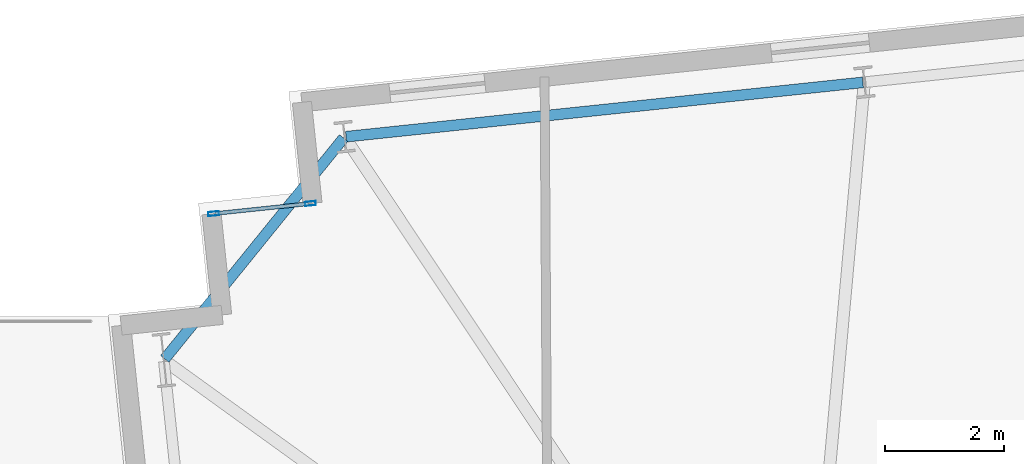
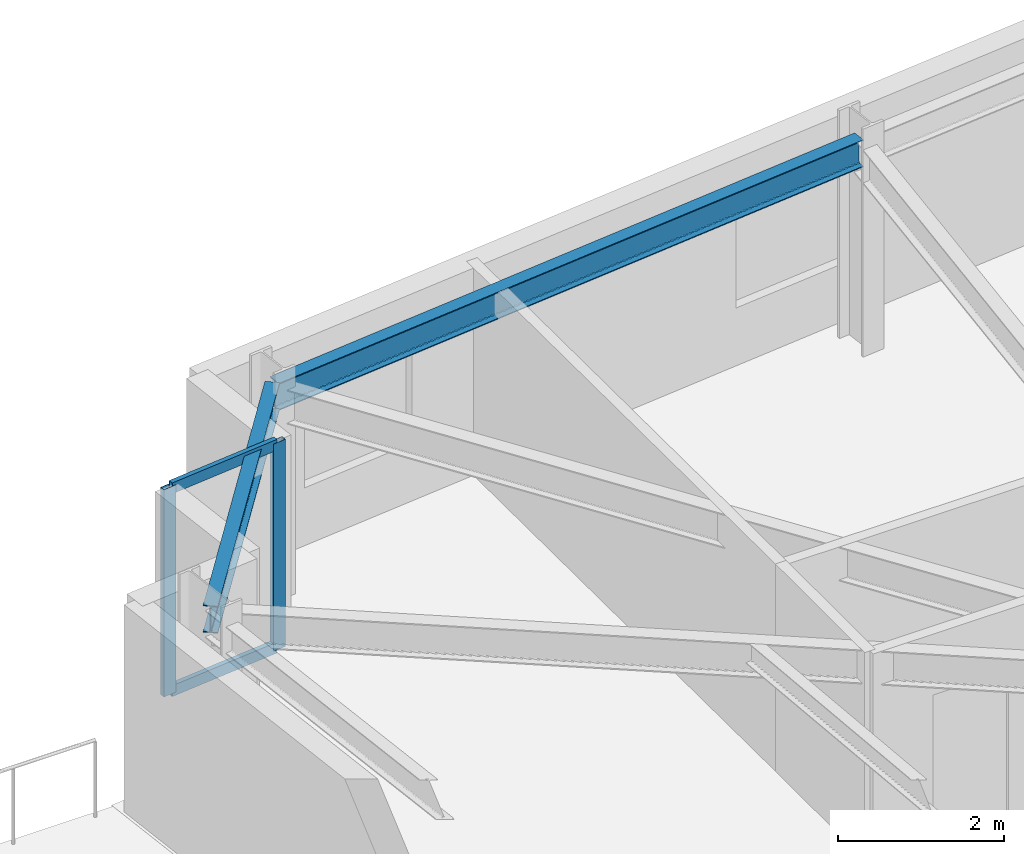
# One storey, part 8 of 20: 4 members, 2 beams, 1 element without a shape of its own.
"""IFC4 building model written with IfcOpenShell, lengths in metres."""

from ifc_helpers import new_model, si_unit, direction, frame, origin, origin_2d, place, context, subcontext, project, spatial, hollow_rectangle, i_section, extrude, material, layer, layer_set, material_profile, profile_set, type_object, element, aggregate, save


model = new_model("IFC4")

# Units and contexts
model_context = context("Model", 3, precision=1e-05, world=origin(), true_north=direction((0.0, 1.0)))
body_context = subcontext(model_context, "Body", "Model", "MODEL_VIEW")
ifc_project = project(units=[si_unit("LENGTHUNIT", "METRE"), si_unit("AREAUNIT", "SQUARE_METRE"), si_unit("VOLUMEUNIT", "CUBIC_METRE"), si_unit("PLANEANGLEUNIT", "RADIAN"), si_unit("MASSUNIT", "GRAM", prefix="KILO")], contexts=[model_context])

# Site, building, storey
site_placement = place(None, origin())
site = spatial("IfcSite", under=ifc_project, at=site_placement, CompositionType="ELEMENT")
building_placement = place(site_placement, origin())
building = spatial("IfcBuilding", under=site, at=building_placement, Name="Qobustan Lattice House", CompositionType="ELEMENT")
storey_placement = place(building_placement, frame((0.0, 0.0, 79.0)))
storey = spatial("IfcBuildingStorey", under=building, at=storey_placement, Name="L21", CompositionType="ELEMENT", Elevation=79.0)

# Beams
ifc_material_1 = material(Name="Steel S355", Category="steel")
ifc_material_profile_1 = material_profile(ifc_material_1, i_section(OverallWidth=0.179931640625, OverallDepth=0.39990234375, WebThickness=0.008544921875, FlangeThickness=0.013427734375, FilletRadius=0.02099609375, at=origin_2d()), Name="IPE400")
ifc_profile_set_1 = profile_set([ifc_material_profile_1], Name="Steel S355")
beam_type = type_object("IfcBeamType", Name="BM-SPD-IPE400", PredefinedType="SPANDREL", material=ifc_profile_set_1)
beam_1_placement = place(storey_placement, frame((-17.7158203125, 17.919189453125, 2.844970703125), z_axis=(-0.994521279781, -0.10453432002, 0.0), x_axis=(0.10453432002, -0.994521279781, 0.0)))
element("IfcBeam", 1, at=beam_1_placement, inside=storey, type_object=beam_type, Name="L21 perimeter spandrel N6-N7", PredefinedType="SPANDREL", context=body_context, shape_type="SweptSolid", body=[
    extrude(i_section(OverallWidth=0.179931640625, OverallDepth=0.39990234375, WebThickness=0.008544921875, FlangeThickness=0.013427734375, FilletRadius=0.02099609375, at=origin_2d()), origin(), (0.0, 0.0, 1.0), 8.69970703125),
])
beam_2_placement = place(storey_placement, frame((-26.40869140625, 16.98779296875, 2.844970703125), z_axis=(-0.629326627121, -0.777140911545, 0.0), x_axis=(0.777140911545, -0.629326627121, 0.0)))
element("IfcBeam", 2, at=beam_2_placement, inside=storey, type_object=beam_type, Name="L21 perimeter spandrel N7-W1", PredefinedType="SPANDREL", context=body_context, shape_type="SweptSolid", body=[
    extrude(i_section(OverallWidth=0.179931640625, OverallDepth=0.39990234375, WebThickness=0.008544921875, FlangeThickness=0.013427734375, FilletRadius=0.02099609375, at=origin_2d()), origin(), (0.0, 0.0, 1.0), 4.758544921875),
])

# Curtain wall, members
ifc_material_2 = material(Name="Anodised aluminium and low-E glazing", Category="aluminium")
ifc_layer = layer(ifc_material_2, 0.219970703125)
ifc_layer_set = layer_set([ifc_layer], Name="Anodised aluminium and low-E glazing")
curtain_wall_type = type_object("IfcCurtainWallType", Name="CW-FAC-01", PredefinedType="USERDEFINED", material=ifc_layer_set)
curtain_wall_placement = place(storey_placement, origin())
curtain_wall = element("IfcCurtainWall", 3, at=curtain_wall_placement, inside=storey, type_object=curtain_wall_type, Name="L21 serrated corner faceted glazing 8", ObjectType="CURTAIN WALL", PredefinedType="USERDEFINED")
ifc_material_3 = material(Name="Anodised aluminium EN AW-6063 T6", Category="aluminium")
ifc_material_profile_2 = material_profile(ifc_material_3, hollow_rectangle(XDim=0.070068359375, YDim=0.179931640625, WallThickness=0.00439453125, at=origin_2d()), Name="CWM-180x70")
ifc_profile_set_2 = profile_set([ifc_material_profile_2], Name="Anodised aluminium EN AW-6063 T6")
member_type_1 = type_object("IfcMemberType", Name="CWM-STD-180", PredefinedType="MULLION", material=ifc_profile_set_2)
member_1_placement = place(storey_placement, frame((-28.58544921875, 15.720947265625, 0.0), z_axis=(0.0, 0.0, 1.0), x_axis=(-0.104528620025, 0.994521878892, 0.0)))
member_1 = element("IfcMember", 4, at=member_1_placement, type_object=member_type_1, Name="CW-F1 mullion 1", PredefinedType="MULLION", context=body_context, shape_type="SweptSolid", body=[
    extrude(hollow_rectangle(XDim=0.070068359375, YDim=0.179931640625, WallThickness=0.00439453125, at=origin_2d()), origin(), (0.0, 0.0, 1.0), 3.044921875),
])
member_2_placement = place(storey_placement, frame((-26.96435546875, 15.891357421875, 0.0), z_axis=(0.0, 0.0, 1.0), x_axis=(-0.104528620025, 0.994521878892, 0.0)))
member_2 = element("IfcMember", 5, at=member_2_placement, type_object=member_type_1, Name="CW-F1 mullion 2", PredefinedType="MULLION", context=body_context, shape_type="SweptSolid", body=[
    extrude(hollow_rectangle(XDim=0.070068359375, YDim=0.179931640625, WallThickness=0.00439453125, at=origin_2d()), origin(), (0.0, 0.0, 1.0), 3.044921875),
])
ifc_material_4 = material(Name="Anodised aluminium EN AW-6063 T6", Category="aluminium")
ifc_material_profile_3 = material_profile(ifc_material_4, hollow_rectangle(XDim=0.06494140625, YDim=0.159912109375, WallThickness=0.00390625, at=origin_2d()), Name="CWT-160x65")
ifc_profile_set_3 = profile_set([ifc_material_profile_3], Name="Anodised aluminium EN AW-6063 T6")
member_type_2 = type_object("IfcMemberType", Name="CWT-HOR-160", PredefinedType="USERDEFINED", material=ifc_profile_set_3)
member_3_placement = place(storey_placement, frame((-28.55078125, 15.724609375, 0.032470703125), z_axis=(0.994520877159, 0.104538150424, 0.0), x_axis=(-0.104538150424, 0.994520877159, 0.0)))
member_3 = element("IfcMember", 6, at=member_3_placement, type_object=member_type_2, Name="CW-F1 transom 1.1", ObjectType="TRANSOM", PredefinedType="USERDEFINED", context=body_context, shape_type="SweptSolid", body=[
    extrude(hollow_rectangle(XDim=0.06494140625, YDim=0.159912109375, WallThickness=0.00390625, at=origin_2d()), origin(), (0.0, 0.0, 1.0), 1.56005859375),
])
member_4_placement = place(storey_placement, frame((-28.55078125, 15.724609375, 3.012451171875), z_axis=(0.994520877159, 0.104538150424, 0.0), x_axis=(-0.104538150424, 0.994520877159, 0.0)))
member_4 = element("IfcMember", 7, at=member_4_placement, type_object=member_type_2, Name="CW-F1 transom 1.2", ObjectType="TRANSOM", PredefinedType="USERDEFINED", context=body_context, shape_type="SweptSolid", body=[
    extrude(hollow_rectangle(XDim=0.06494140625, YDim=0.159912109375, WallThickness=0.00390625, at=origin_2d()), origin(), (0.0, 0.0, 1.0), 1.56005859375),
])
aggregate(curtain_wall, [member_1, member_2, member_3, member_4])

save(model, "model.ifc")
